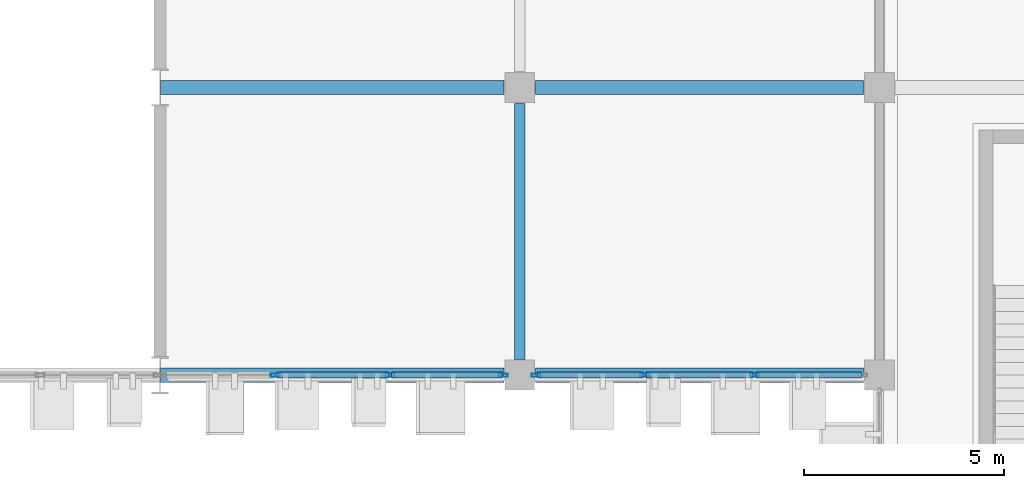
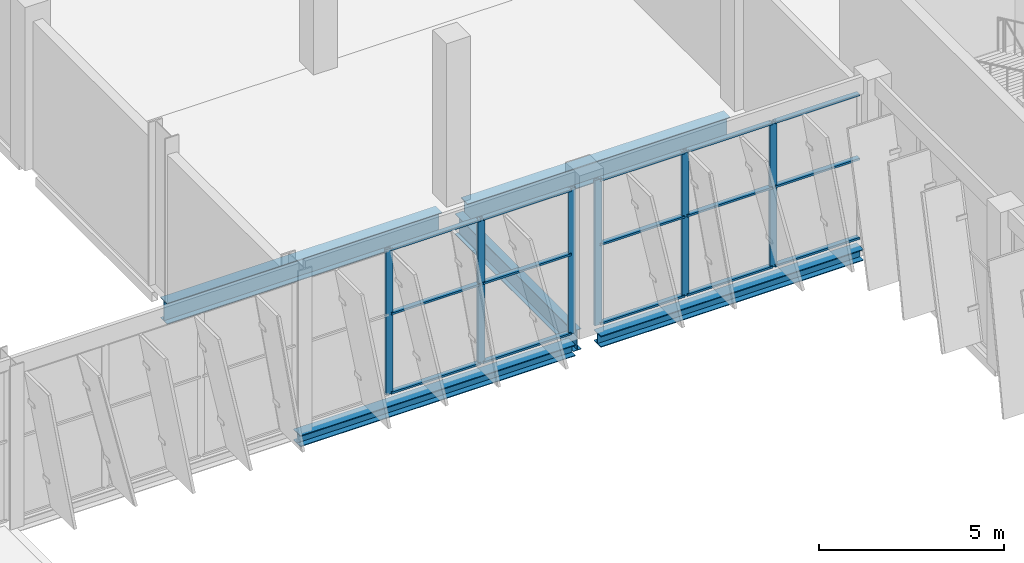
# One storey, part 46 of 189: 21 members, 5 beams, 2 elements without a shape of their own.
"""IFC4 building model written with IfcOpenShell, lengths in metres."""

from ifc_helpers import new_model, si_unit, direction, frame, origin, origin_2d, place, context, subcontext, project, spatial, hollow_rectangle, i_section, extrude, material, layer, layer_set, material_profile, profile_set, type_object, element, aggregate, save


model = new_model("IFC4")

# Units and contexts
model_context = context("Model", 3, precision=1e-05, world=origin(), true_north=direction((0.0, 1.0)))
body_context = subcontext(model_context, "Body", "Model", "MODEL_VIEW")
ifc_project = project(units=[si_unit("LENGTHUNIT", "METRE"), si_unit("AREAUNIT", "SQUARE_METRE"), si_unit("VOLUMEUNIT", "CUBIC_METRE"), si_unit("PLANEANGLEUNIT", "RADIAN"), si_unit("MASSUNIT", "GRAM", prefix="KILO")], contexts=[model_context])

# Site, building, storey
site_placement = place(None, origin())
site = spatial("IfcSite", under=ifc_project, at=site_placement, CompositionType="ELEMENT")
building_placement = place(site_placement, origin())
building = spatial("IfcBuilding", under=site, at=building_placement, Name="Celestram Park Convention Centre", CompositionType="ELEMENT")
storey_placement = place(building_placement, frame((0.0, 0.0, 5.39990234375)))
storey = spatial("IfcBuildingStorey", under=building, at=storey_placement, Name="L01", CompositionType="ELEMENT", Elevation=5.39990234375)

# Curtain wall, members
ifc_material_1 = material(Name="Anodised Aluminium Alloy 6063-T6", Category="aluminium")
ifc_layer_1 = layer(ifc_material_1, 0.179931640625)
ifc_layer_set_1 = layer_set([ifc_layer_1], Name="Anodised Aluminium Alloy 6063-T6")
curtain_wall_type_1 = type_object("IfcCurtainWallType", Name="ARC-CW-825X480", PredefinedType="NOTDEFINED", material=ifc_layer_set_1)
curtain_wall_1_placement = place(storey_placement, origin())
curtain_wall_1 = element("IfcCurtainWall", 1, at=curtain_wall_1_placement, inside=storey, type_object=curtain_wall_type_1, Name="Unitised curtain wall CU-L01-041", PredefinedType="NOTDEFINED")
ifc_material_profile_1 = material_profile(ifc_material_1, hollow_rectangle(XDim=0.074951171875, YDim=0.219970703125, WallThickness=0.00390625, at=origin_2d()), Name="ALU75X220X4")
ifc_profile_set_1 = profile_set([ifc_material_profile_1], Name="Anodised Aluminium Alloy 6063-T6")
member_type_1 = type_object("IfcMemberType", Name="ARC-CWM-180", PredefinedType="MULLION", material=ifc_profile_set_1)
member_1_placement = place(storey_placement, frame((140.875732421875, 21.60009765625, 0.0), z_axis=(0.0, 0.0, 1.0), x_axis=(0.0, -1.0, 0.0)))
member_1 = element("IfcMember", 2, at=member_1_placement, type_object=member_type_1, Name="CW-82X48 mullion 2", PredefinedType="MULLION", context=body_context, shape_type="SweptSolid", body=[
    extrude(hollow_rectangle(XDim=0.074951171875, YDim=0.219970703125, WallThickness=0.00390625, at=origin_2d()), origin(), (0.0, 0.0, 1.0), 4.80419921875),
])
member_2_placement = place(storey_placement, frame((138.124267578125, 21.60009765625, 0.0), z_axis=(0.0, 0.0, 1.0), x_axis=(0.0, -1.0, 0.0)))
member_2 = element("IfcMember", 3, at=member_2_placement, type_object=member_type_1, Name="CW-82X48 mullion 3", PredefinedType="MULLION", context=body_context, shape_type="SweptSolid", body=[
    extrude(hollow_rectangle(XDim=0.074951171875, YDim=0.219970703125, WallThickness=0.00390625, at=origin_2d()), origin(), (0.0, 0.0, 1.0), 4.80419921875),
])
member_3_placement = place(storey_placement, frame((135.410400390625, 21.60009765625, 0.0), z_axis=(0.0, 0.0, 1.0), x_axis=(0.0, -1.0, 0.0)))
member_3 = element("IfcMember", 4, at=member_3_placement, type_object=member_type_1, Name="CW-82X48 mullion 4", PredefinedType="MULLION", context=body_context, shape_type="SweptSolid", body=[
    extrude(hollow_rectangle(XDim=0.074951171875, YDim=0.219970703125, WallThickness=0.00390625, at=origin_2d()), origin(), (0.0, 0.0, 1.0), 4.80419921875),
])

ifc_layer_2 = layer(ifc_material_1, 0.179931640625)
ifc_layer_set_2 = layer_set([ifc_layer_2], Name="Anodised Aluminium Alloy 6063-T6")
curtain_wall_type_2 = type_object("IfcCurtainWallType", Name="ARC-CW-862X480", PredefinedType="NOTDEFINED", material=ifc_layer_set_2)
curtain_wall_2_placement = place(storey_placement, origin())
curtain_wall_2 = element("IfcCurtainWall", 5, at=curtain_wall_2_placement, inside=storey, type_object=curtain_wall_type_2, Name="Unitised curtain wall CU-L01-042", PredefinedType="NOTDEFINED")
member_4_placement = place(storey_placement, frame((134.589599609375, 21.60009765625, 0.0), z_axis=(0.0, 0.0, 1.0), x_axis=(0.0, -1.0, 0.0)))
member_4 = element("IfcMember", 6, at=member_4_placement, type_object=member_type_1, Name="CW-86X48 mullion 1", PredefinedType="MULLION", context=body_context, shape_type="SweptSolid", body=[
    extrude(hollow_rectangle(XDim=0.074951171875, YDim=0.219970703125, WallThickness=0.00390625, at=origin_2d()), origin(), (0.0, 0.0, 1.0), 4.80419921875),
])
member_5_placement = place(storey_placement, frame((131.754638671875, 21.60009765625, 0.0), z_axis=(0.0, 0.0, 1.0), x_axis=(0.0, -1.0, 0.0)))
member_5 = element("IfcMember", 7, at=member_5_placement, type_object=member_type_1, Name="CW-86X48 mullion 2", PredefinedType="MULLION", context=body_context, shape_type="SweptSolid", body=[
    extrude(hollow_rectangle(XDim=0.074951171875, YDim=0.219970703125, WallThickness=0.00390625, at=origin_2d()), origin(), (0.0, 0.0, 1.0), 4.80419921875),
])
member_6_placement = place(storey_placement, frame((128.88232421875, 21.60009765625, 0.0), z_axis=(0.0, 0.0, 1.0), x_axis=(0.0, -1.0, 0.0)))
member_6 = element("IfcMember", 8, at=member_6_placement, type_object=member_type_1, Name="CW-86X48 mullion 3", PredefinedType="MULLION", context=body_context, shape_type="SweptSolid", body=[
    extrude(hollow_rectangle(XDim=0.074951171875, YDim=0.219970703125, WallThickness=0.00390625, at=origin_2d()), origin(), (0.0, 0.0, 1.0), 4.80419921875),
])

# Member
ifc_material_profile_2 = material_profile(ifc_material_1, hollow_rectangle(XDim=0.14990234375, YDim=0.06494140625, WallThickness=0.0029296875, at=origin_2d()), Name="ALU150X65X3")
ifc_profile_set_2 = profile_set([ifc_material_profile_2], Name="Anodised Aluminium Alloy 6063-T6")
member_type_2 = type_object("IfcMemberType", Name="ARC-CWT-150", PredefinedType="USERDEFINED", material=ifc_profile_set_2)
member_7_placement = place(storey_placement, frame((143.552001953125, 21.60009765625, 0.03271484375), z_axis=(-1.0, 0.0, 0.0), x_axis=(0.0, -1.0, 0.0)))
member_7 = element("IfcMember", 9, at=member_7_placement, type_object=member_type_2, Name="CW-82X48 transom 1.1", ObjectType="TRANSOM", PredefinedType="USERDEFINED", context=body_context, shape_type="SweptSolid", body=[
    extrude(hollow_rectangle(XDim=0.14990234375, YDim=0.06494140625, WallThickness=0.0029296875, at=origin_2d()), origin(), (0.0, 0.0, 1.0), 2.638916015625),
])

member_8_placement = place(storey_placement, frame((143.552001953125, 21.60009765625, 2.650146484375), z_axis=(-1.0, 0.0, 0.0), x_axis=(0.0, -1.0, 0.0)))
member_8 = element("IfcMember", 10, at=member_8_placement, type_object=member_type_2, Name="CW-82X48 transom 1.2", ObjectType="TRANSOM", PredefinedType="USERDEFINED", context=body_context, shape_type="SweptSolid", body=[
    extrude(hollow_rectangle(XDim=0.14990234375, YDim=0.06494140625, WallThickness=0.0029296875, at=origin_2d()), origin(), (0.0, 0.0, 1.0), 2.638916015625),
])

member_9_placement = place(storey_placement, frame((143.552001953125, 21.60009765625, 4.771484375), z_axis=(-1.0, 0.0, 0.0), x_axis=(0.0, -1.0, 0.0)))
member_9 = element("IfcMember", 11, at=member_9_placement, type_object=member_type_2, Name="CW-82X48 transom 1.3", ObjectType="TRANSOM", PredefinedType="USERDEFINED", context=body_context, shape_type="SweptSolid", body=[
    extrude(hollow_rectangle(XDim=0.14990234375, YDim=0.06494140625, WallThickness=0.0029296875, at=origin_2d()), origin(), (0.0, 0.0, 1.0), 2.638916015625),
])

member_10_placement = place(storey_placement, frame((140.838134765625, 21.60009765625, 0.03271484375), z_axis=(-1.0, 0.0, 0.0), x_axis=(0.0, -1.0, 0.0)))
member_10 = element("IfcMember", 12, at=member_10_placement, type_object=member_type_2, Name="CW-82X48 transom 2.1", ObjectType="TRANSOM", PredefinedType="USERDEFINED", context=body_context, shape_type="SweptSolid", body=[
    extrude(hollow_rectangle(XDim=0.14990234375, YDim=0.06494140625, WallThickness=0.0029296875, at=origin_2d()), origin(), (0.0, 0.0, 1.0), 2.67626953125),
])

member_11_placement = place(storey_placement, frame((140.838134765625, 21.60009765625, 2.650146484375), z_axis=(-1.0, 0.0, 0.0), x_axis=(0.0, -1.0, 0.0)))
member_11 = element("IfcMember", 13, at=member_11_placement, type_object=member_type_2, Name="CW-82X48 transom 2.2", ObjectType="TRANSOM", PredefinedType="USERDEFINED", context=body_context, shape_type="SweptSolid", body=[
    extrude(hollow_rectangle(XDim=0.14990234375, YDim=0.06494140625, WallThickness=0.0029296875, at=origin_2d()), origin(), (0.0, 0.0, 1.0), 2.67626953125),
])

member_12_placement = place(storey_placement, frame((140.838134765625, 21.60009765625, 4.771484375), z_axis=(-1.0, 0.0, 0.0), x_axis=(0.0, -1.0, 0.0)))
member_12 = element("IfcMember", 14, at=member_12_placement, type_object=member_type_2, Name="CW-82X48 transom 2.3", ObjectType="TRANSOM", PredefinedType="USERDEFINED", context=body_context, shape_type="SweptSolid", body=[
    extrude(hollow_rectangle(XDim=0.14990234375, YDim=0.06494140625, WallThickness=0.0029296875, at=origin_2d()), origin(), (0.0, 0.0, 1.0), 2.67626953125),
])

member_13_placement = place(storey_placement, frame((138.0869140625, 21.60009765625, 0.03271484375), z_axis=(-1.0, 0.0, 0.0), x_axis=(0.0, -1.0, 0.0)))
member_13 = element("IfcMember", 15, at=member_13_placement, type_object=member_type_2, Name="CW-82X48 transom 3.1", ObjectType="TRANSOM", PredefinedType="USERDEFINED", context=body_context, shape_type="SweptSolid", body=[
    extrude(hollow_rectangle(XDim=0.14990234375, YDim=0.06494140625, WallThickness=0.0029296875, at=origin_2d()), origin(), (0.0, 0.0, 1.0), 2.638916015625),
])

member_14_placement = place(storey_placement, frame((138.0869140625, 21.60009765625, 2.650146484375), z_axis=(-1.0, 0.0, 0.0), x_axis=(0.0, -1.0, 0.0)))
member_14 = element("IfcMember", 16, at=member_14_placement, type_object=member_type_2, Name="CW-82X48 transom 3.2", ObjectType="TRANSOM", PredefinedType="USERDEFINED", context=body_context, shape_type="SweptSolid", body=[
    extrude(hollow_rectangle(XDim=0.14990234375, YDim=0.06494140625, WallThickness=0.0029296875, at=origin_2d()), origin(), (0.0, 0.0, 1.0), 2.638916015625),
])

member_15_placement = place(storey_placement, frame((138.0869140625, 21.60009765625, 4.771484375), z_axis=(-1.0, 0.0, 0.0), x_axis=(0.0, -1.0, 0.0)))
member_15 = element("IfcMember", 17, at=member_15_placement, type_object=member_type_2, Name="CW-82X48 transom 3.3", ObjectType="TRANSOM", PredefinedType="USERDEFINED", context=body_context, shape_type="SweptSolid", body=[
    extrude(hollow_rectangle(XDim=0.14990234375, YDim=0.06494140625, WallThickness=0.0029296875, at=origin_2d()), origin(), (0.0, 0.0, 1.0), 2.638916015625),
])

aggregate(curtain_wall_1, [member_1, member_2, member_3, member_7, member_8, member_9, member_10, member_11, member_12, member_13, member_14, member_15])

member_16_placement = place(storey_placement, frame((134.552001953125, 21.60009765625, 0.03271484375), z_axis=(-1.0, 0.0, 0.0), x_axis=(0.0, -1.0, 0.0)))
member_16 = element("IfcMember", 18, at=member_16_placement, type_object=member_type_2, Name="CW-86X48 transom 1.1", ObjectType="TRANSOM", PredefinedType="USERDEFINED", context=body_context, shape_type="SweptSolid", body=[
    extrude(hollow_rectangle(XDim=0.14990234375, YDim=0.06494140625, WallThickness=0.0029296875, at=origin_2d()), origin(), (0.0, 0.0, 1.0), 2.759765625),
])

member_17_placement = place(storey_placement, frame((134.552001953125, 21.60009765625, 2.650146484375), z_axis=(-1.0, 0.0, 0.0), x_axis=(0.0, -1.0, 0.0)))
member_17 = element("IfcMember", 19, at=member_17_placement, type_object=member_type_2, Name="CW-86X48 transom 1.2", ObjectType="TRANSOM", PredefinedType="USERDEFINED", context=body_context, shape_type="SweptSolid", body=[
    extrude(hollow_rectangle(XDim=0.14990234375, YDim=0.06494140625, WallThickness=0.0029296875, at=origin_2d()), origin(), (0.0, 0.0, 1.0), 2.759765625),
])

member_18_placement = place(storey_placement, frame((134.552001953125, 21.60009765625, 4.771484375), z_axis=(-1.0, 0.0, 0.0), x_axis=(0.0, -1.0, 0.0)))
member_18 = element("IfcMember", 20, at=member_18_placement, type_object=member_type_2, Name="CW-86X48 transom 1.3", ObjectType="TRANSOM", PredefinedType="USERDEFINED", context=body_context, shape_type="SweptSolid", body=[
    extrude(hollow_rectangle(XDim=0.14990234375, YDim=0.06494140625, WallThickness=0.0029296875, at=origin_2d()), origin(), (0.0, 0.0, 1.0), 2.759765625),
])

member_19_placement = place(storey_placement, frame((131.71728515625, 21.60009765625, 0.03271484375), z_axis=(-1.0, 0.0, 0.0), x_axis=(0.0, -1.0, 0.0)))
member_19 = element("IfcMember", 21, at=member_19_placement, type_object=member_type_2, Name="CW-86X48 transom 2.1", ObjectType="TRANSOM", PredefinedType="USERDEFINED", context=body_context, shape_type="SweptSolid", body=[
    extrude(hollow_rectangle(XDim=0.14990234375, YDim=0.06494140625, WallThickness=0.0029296875, at=origin_2d()), origin(), (0.0, 0.0, 1.0), 2.79736328125),
])

member_20_placement = place(storey_placement, frame((131.71728515625, 21.60009765625, 2.650146484375), z_axis=(-1.0, 0.0, 0.0), x_axis=(0.0, -1.0, 0.0)))
member_20 = element("IfcMember", 22, at=member_20_placement, type_object=member_type_2, Name="CW-86X48 transom 2.2", ObjectType="TRANSOM", PredefinedType="USERDEFINED", context=body_context, shape_type="SweptSolid", body=[
    extrude(hollow_rectangle(XDim=0.14990234375, YDim=0.06494140625, WallThickness=0.0029296875, at=origin_2d()), origin(), (0.0, 0.0, 1.0), 2.79736328125),
])

member_21_placement = place(storey_placement, frame((131.71728515625, 21.60009765625, 4.771484375), z_axis=(-1.0, 0.0, 0.0), x_axis=(0.0, -1.0, 0.0)))
member_21 = element("IfcMember", 23, at=member_21_placement, type_object=member_type_2, Name="CW-86X48 transom 2.3", ObjectType="TRANSOM", PredefinedType="USERDEFINED", context=body_context, shape_type="SweptSolid", body=[
    extrude(hollow_rectangle(XDim=0.14990234375, YDim=0.06494140625, WallThickness=0.0029296875, at=origin_2d()), origin(), (0.0, 0.0, 1.0), 2.79736328125),
])

aggregate(curtain_wall_2, [member_4, member_5, member_6, member_16, member_17, member_18, member_19, member_20, member_21])

# Beams
ifc_material_2 = material(Name="Steel ASTM A992 Grade 50", Category="steel")
ifc_material_profile_3 = material_profile(ifc_material_2, i_section(OverallWidth=0.35595703125, OverallDepth=0.696044921875, WebThickness=0.015380859375, FlangeThickness=0.02490234375, at=origin_2d()), Name="W27X146")
ifc_profile_set_3 = profile_set([ifc_material_profile_3], Name="Steel ASTM A992 Grade 50")
beam_type_1 = type_object("IfcBeamType", Name="STR-BM-W27X146", PredefinedType="BEAM", material=ifc_profile_set_3)
beam_1_placement = place(storey_placement, frame((126.010009765625, 28.800048828125, -0.6279296875), z_axis=(1.0, 0.0, 0.0), x_axis=(0.0, 1.0, 0.0)))
element("IfcBeam", 24, at=beam_1_placement, inside=storey, type_object=beam_type_1, Name="Primary X-girder BG-L01-0250", PredefinedType="BEAM", context=body_context, shape_type="SweptSolid", body=[
    extrude(i_section(OverallWidth=0.35595703125, OverallDepth=0.696044921875, WebThickness=0.015380859375, FlangeThickness=0.02490234375, at=origin_2d()), origin(), (0.0, 0.0, 1.0), 8.592041015625),
])
beam_2_placement = place(storey_placement, frame((135.39794921875, 28.800048828125, -0.6279296875), z_axis=(1.0, 0.0, 0.0), x_axis=(0.0, 1.0, 0.0)))
element("IfcBeam", 25, at=beam_2_placement, inside=storey, type_object=beam_type_1, Name="Primary X-girder BG-L01-0288", PredefinedType="BEAM", context=body_context, shape_type="SweptSolid", body=[
    extrude(i_section(OverallWidth=0.35595703125, OverallDepth=0.696044921875, WebThickness=0.015380859375, FlangeThickness=0.02490234375, at=origin_2d()), origin(), (0.0, 0.0, 1.0), 8.2041015625),
])
ifc_material_profile_4 = material_profile(ifc_material_2, i_section(OverallWidth=0.25390625, OverallDepth=0.68310546875, WebThickness=0.012451171875, FlangeThickness=0.01904296875, at=origin_2d()), Name="W27X94")
ifc_profile_set_4 = profile_set([ifc_material_profile_4], Name="Steel ASTM A992 Grade 50")
beam_type_2 = type_object("IfcBeamType", Name="STR-BM-W27X94", PredefinedType="BEAM", material=ifc_profile_set_4)
beam_3_placement = place(storey_placement, frame((135.0, 21.998046875, -0.621337890625), z_axis=(0.0, 1.0, 0.0), x_axis=(-1.0, 0.0, 0.0)))
element("IfcBeam", 26, at=beam_3_placement, inside=storey, type_object=beam_type_2, Name="Primary Y-girder BG-L01-0287", PredefinedType="BEAM", context=body_context, shape_type="SweptSolid", body=[
    extrude(i_section(OverallWidth=0.25390625, OverallDepth=0.68310546875, WebThickness=0.012451171875, FlangeThickness=0.01904296875, at=origin_2d()), origin(), (0.0, 0.0, 1.0), 6.404052734375),
])
ifc_material_profile_5 = material_profile(ifc_material_2, i_section(OverallWidth=0.373046875, OverallDepth=0.373046875, WebThickness=0.016357421875, FlangeThickness=0.026123046875, at=origin_2d()), Name="W14X132")
ifc_profile_set_5 = profile_set([ifc_material_profile_5], Name="Steel ASTM A992 Grade 50")
beam_type_3 = type_object("IfcBeamType", Name="STR-SPN-W14X132", PredefinedType="SPANDREL", material=ifc_profile_set_5)
beam_4_placement = place(storey_placement, frame((126.010009765625, 21.60009765625, -0.46630859375), z_axis=(1.0, 0.0, 0.0), x_axis=(0.0, 1.0, 0.0)))
element("IfcBeam", 27, at=beam_4_placement, inside=storey, type_object=beam_type_3, Name="Primary X-girder BG-L01-0248", PredefinedType="SPANDREL", context=body_context, shape_type="SweptSolid", body=[
    extrude(i_section(OverallWidth=0.373046875, OverallDepth=0.373046875, WebThickness=0.016357421875, FlangeThickness=0.026123046875, at=origin_2d()), origin(), (0.0, 0.0, 1.0), 8.592041015625),
])
beam_5_placement = place(storey_placement, frame((135.39794921875, 21.60009765625, -0.46630859375), z_axis=(1.0, 0.0, 0.0), x_axis=(0.0, 1.0, 0.0)))
element("IfcBeam", 28, at=beam_5_placement, inside=storey, type_object=beam_type_3, Name="Primary X-girder BG-L01-0286", PredefinedType="SPANDREL", context=body_context, shape_type="SweptSolid", body=[
    extrude(i_section(OverallWidth=0.373046875, OverallDepth=0.373046875, WebThickness=0.016357421875, FlangeThickness=0.026123046875, at=origin_2d()), origin(), (0.0, 0.0, 1.0), 8.2041015625),
])

save(model, "model.ifc")
